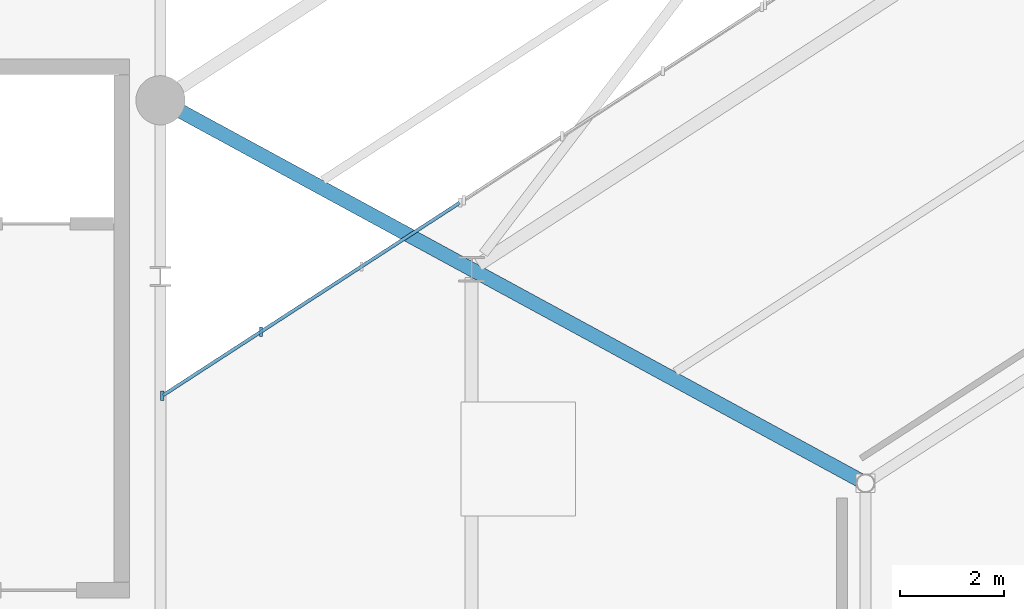
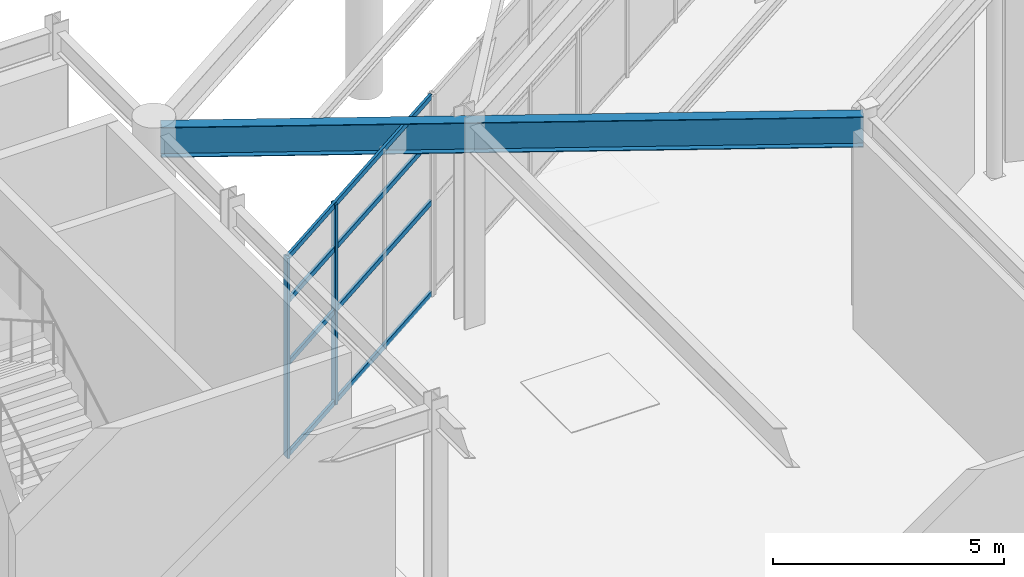
# One storey, part 25 of 70: 6 members, 1 beam, 1 element without a shape of its own.
"""IFC4 building model written with IfcOpenShell, lengths in metres."""

from ifc_helpers import new_model, si_unit, direction, frame, origin, origin_2d, place, context, subcontext, project, spatial, rectangle, i_section, extrude, material, material_profile, profile_set, type_object, element, aggregate, save


model = new_model("IFC4")

# Units and contexts
model_context = context("Model", 3, precision=1e-05, world=origin(), true_north=direction((0.0, 1.0)))
body_context = subcontext(model_context, "Body", "Model", "MODEL_VIEW")
ifc_project = project(units=[si_unit("LENGTHUNIT", "METRE"), si_unit("AREAUNIT", "SQUARE_METRE"), si_unit("VOLUMEUNIT", "CUBIC_METRE"), si_unit("PLANEANGLEUNIT", "RADIAN"), si_unit("MASSUNIT", "GRAM", prefix="KILO")], contexts=[model_context])

# Site, building, storey
site_placement = place(None, origin())
site = spatial("IfcSite", under=ifc_project, at=site_placement, CompositionType="ELEMENT")
building_placement = place(site_placement, origin())
building = spatial("IfcBuilding", under=site, at=building_placement, Name="Sarnbrook Museum", CompositionType="ELEMENT")
storey_placement = place(building_placement, origin())
storey = spatial("IfcBuildingStorey", under=building, at=storey_placement, Name="L00", CompositionType="ELEMENT", Elevation=0.0)

# Beam
ifc_material_1 = material(Name="Structural Steel Grade 350L0 (AS/NZS 3678, fy = 340 MPa for 20 < t <= 40 mm)", Category="steel")
ifc_material_profile_1 = material_profile(ifc_material_1, i_section(OverallWidth=0.27490234375, OverallDepth=0.800048828125, WebThickness=0.010009765625, FlangeThickness=0.01611328125, at=origin_2d()), Name="800WB146")
ifc_profile_set_1 = profile_set([ifc_material_profile_1], Name="Structural Steel Grade 350L0 (AS/NZS 3678, fy = 340 MPa for 20 < t <= 40 mm)")
beam_type = type_object("IfcBeamType", Name="CR-CANT", PredefinedType="BEAM", material=ifc_profile_set_1)
beam_placement = place(storey_placement, frame((132.694580078125, 96.869384765625, 4.93994140625), z_axis=(-0.878717035292, 0.477343033769, 0.0), x_axis=(-0.477343033769, -0.878717035292, 0.0)))
element("IfcBeam", 1, at=beam_placement, inside=storey, type_object=beam_type, Name="Crystal Hall Radial Cantilever Girder 7 L00", PredefinedType="BEAM", context=body_context, shape_type="SweptSolid", body=[
    extrude(i_section(OverallWidth=0.27490234375, OverallDepth=0.800048828125, WebThickness=0.010009765625, FlangeThickness=0.01611328125, at=origin_2d()), origin(), (0.0, 0.0, 1.0), 15.207275390625),
])

# Curtain wall, members
ifc_material_2 = material(Name="Thermally Broken Anodised Aluminium 6063-T6", Category="aluminium")
curtain_wall_type = type_object("IfcCurtainWallType", Name="CurtainWall_Colonnade", PredefinedType="NOTDEFINED", material=ifc_material_2)
curtain_wall_placement = place(storey_placement, origin())
curtain_wall = element("IfcCurtainWall", 2, at=curtain_wall_placement, inside=storey, type_object=curtain_wall_type, Name="Colonnade Recessed Glazing L00-F6.3", PredefinedType="NOTDEFINED")
ifc_material_profile_2 = material_profile(ifc_material_2, rectangle(XDim=0.06494140625, YDim=0.179931640625, at=origin_2d()), Name="ALU MULLION 65x180")
ifc_profile_set_2 = profile_set([ifc_material_profile_2], Name="Thermally Broken Anodised Aluminium 6063-T6")
member_type_1 = type_object("IfcMemberType", Name="CW_Mullion_180x75", PredefinedType="MULLION", material=ifc_profile_set_2)
member_1_placement = place(storey_placement, frame((121.13818359375, 99.735595703125, 0.0), z_axis=(0.0, 0.0, 1.0), x_axis=(1.0, 0.0, 0.0)))
member_1 = element("IfcMember", 3, at=member_1_placement, type_object=member_type_1, Name="Colonnade Recessed Glazing L00-F6.3 Mullion 3", PredefinedType="MULLION", context=body_context, shape_type="SweptSolid", body=[
    extrude(rectangle(XDim=0.06494140625, YDim=0.179931640625, at=origin_2d()), origin(), (0.0, 0.0, 1.0), 5.2900390625),
])
member_2_placement = place(storey_placement, frame((119.233642578125, 98.5, 0.0), z_axis=(0.0, 0.0, 1.0), x_axis=(1.0, 0.0, 0.0)))
member_2 = element("IfcMember", 4, at=member_2_placement, type_object=member_type_1, Name="Colonnade Recessed Glazing L00-F6.3 Mullion 4", PredefinedType="MULLION", context=body_context, shape_type="SweptSolid", body=[
    extrude(rectangle(XDim=0.06494140625, YDim=0.179931640625, at=origin_2d()), origin(), (0.0, 0.0, 1.0), 5.2900390625),
])
ifc_material_profile_3 = material_profile(ifc_material_2, rectangle(XDim=0.06494140625, YDim=0.139892578125, at=origin_2d()), Name="ALU TRANSOM 65x140")
ifc_profile_set_3 = profile_set([ifc_material_profile_3], Name="Thermally Broken Anodised Aluminium 6063-T6")
member_type_2 = type_object("IfcMemberType", Name="CW_Transom_150x65", PredefinedType="USERDEFINED", material=ifc_profile_set_3)
member_3_placement = place(storey_placement, frame((124.972412109375, 102.223388671875, 0.0400390625), z_axis=(-0.838897334503, -0.544289685887, 0.0), x_axis=(0.544289685887, -0.838897334503, 0.0)))
member_3 = element("IfcMember", 5, at=member_3_placement, type_object=member_type_2, Name="Colonnade Recessed Glazing L00-F6.3 Transom 1", ObjectType="TRANSOM", PredefinedType="USERDEFINED", context=body_context, shape_type="SweptSolid", body=[
    extrude(rectangle(XDim=0.06494140625, YDim=0.139892578125, at=origin_2d()), origin(), (0.0, 0.0, 1.0), 6.8310546875),
])
member_4_placement = place(storey_placement, frame((124.972412109375, 102.223388671875, 2.449951171875), z_axis=(-0.838897334503, -0.544289685887, 0.0), x_axis=(0.544289685887, -0.838897334503, 0.0)))
member_4 = element("IfcMember", 6, at=member_4_placement, type_object=member_type_2, Name="Colonnade Recessed Glazing L00-F6.3 Transom 2", ObjectType="TRANSOM", PredefinedType="USERDEFINED", context=body_context, shape_type="SweptSolid", body=[
    extrude(rectangle(XDim=0.06494140625, YDim=0.139892578125, at=origin_2d()), origin(), (0.0, 0.0, 1.0), 6.8310546875),
])
member_5_placement = place(storey_placement, frame((124.972412109375, 102.223388671875, 4.10009765625), z_axis=(-0.838897334503, -0.544289685887, 0.0), x_axis=(0.544289685887, -0.838897334503, 0.0)))
member_5 = element("IfcMember", 7, at=member_5_placement, type_object=member_type_2, Name="Colonnade Recessed Glazing L00-F6.3 Transom 3", ObjectType="TRANSOM", PredefinedType="USERDEFINED", context=body_context, shape_type="SweptSolid", body=[
    extrude(rectangle(XDim=0.06494140625, YDim=0.139892578125, at=origin_2d()), origin(), (0.0, 0.0, 1.0), 6.8310546875),
])
member_6_placement = place(storey_placement, frame((124.972412109375, 102.223388671875, 5.25), z_axis=(-0.838897334503, -0.544289685887, 0.0), x_axis=(0.544289685887, -0.838897334503, 0.0)))
member_6 = element("IfcMember", 8, at=member_6_placement, type_object=member_type_2, Name="Colonnade Recessed Glazing L00-F6.3 Transom 4", ObjectType="TRANSOM", PredefinedType="USERDEFINED", context=body_context, shape_type="SweptSolid", body=[
    extrude(rectangle(XDim=0.06494140625, YDim=0.139892578125, at=origin_2d()), origin(), (0.0, 0.0, 1.0), 6.8310546875),
])
aggregate(curtain_wall, [member_1, member_2, member_3, member_4, member_5, member_6])

save(model, "model.ifc")
